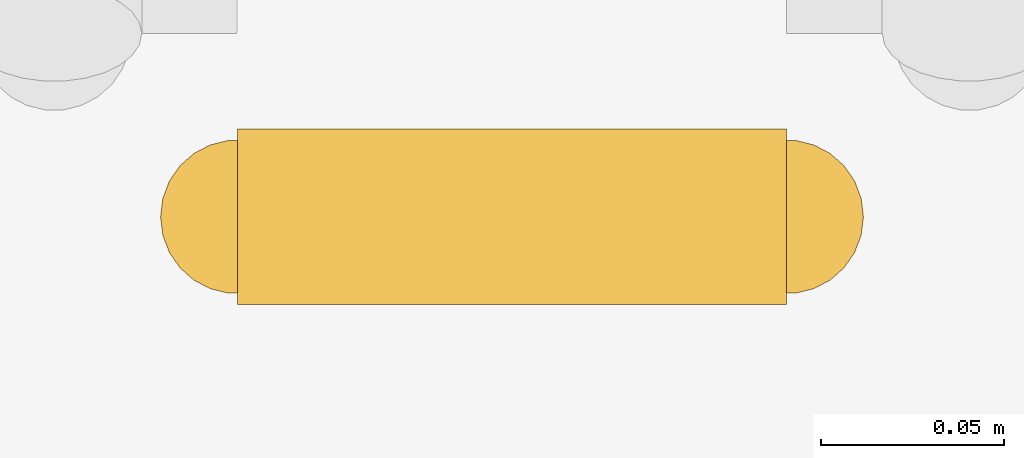
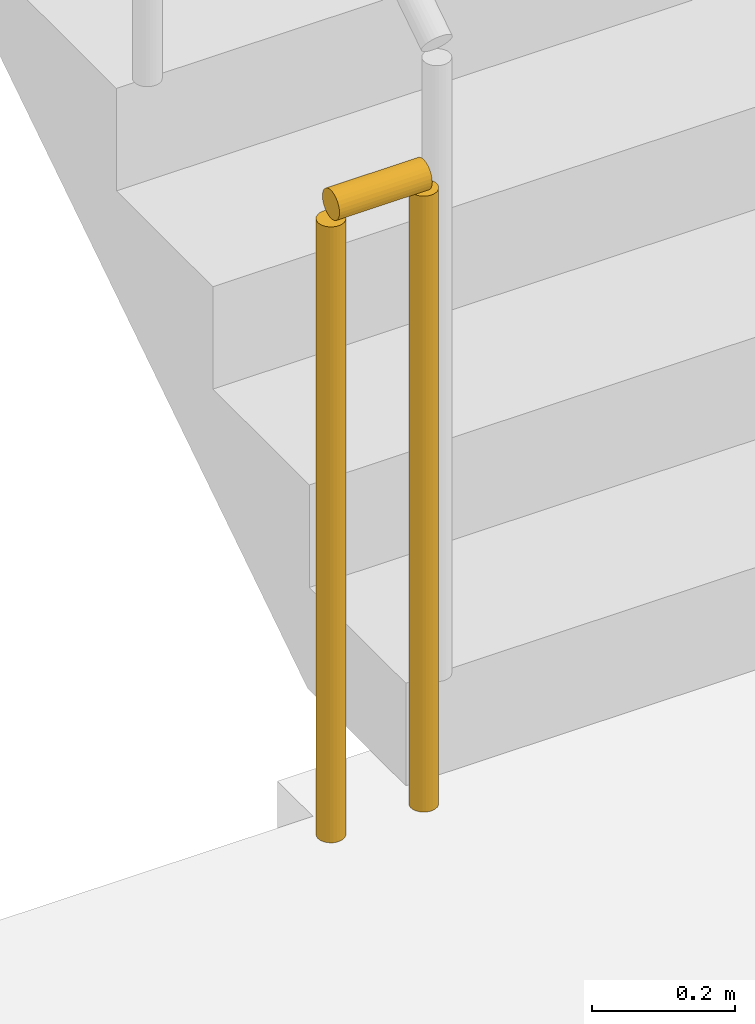
# One storey, part 15 of 20: 1 railing.
"""IFC4 building model written with IfcOpenShell, lengths in metres."""

from ifc_helpers import new_model, si_unit, direction, frame, origin, origin_2d, place, context, subcontext, project, spatial, circle, extrude, material, type_object, element, save


model = new_model("IFC4")

# Units and contexts
model_context = context("Model", 3, precision=1e-05, world=origin(), true_north=direction((0.0, 1.0)))
body_context = subcontext(model_context, "Body", "Model", "MODEL_VIEW")
ifc_project = project(units=[si_unit("LENGTHUNIT", "METRE"), si_unit("AREAUNIT", "SQUARE_METRE"), si_unit("VOLUMEUNIT", "CUBIC_METRE"), si_unit("PLANEANGLEUNIT", "RADIAN"), si_unit("MASSUNIT", "GRAM", prefix="KILO")], contexts=[model_context])

# Site, building, storey
site_placement = place(None, origin())
site = spatial("IfcSite", under=ifc_project, at=site_placement, CompositionType="ELEMENT")
building_placement = place(site_placement, origin())
building = spatial("IfcBuilding", under=site, at=building_placement, Name="Saffron Iwan Residences", CompositionType="ELEMENT")
storey_placement = place(building_placement, frame((0.0, 0.0, 123.5)))
storey = spatial("IfcBuildingStorey", under=building, at=storey_placement, Name="L32", CompositionType="ELEMENT", Elevation=123.5)

# Railing
ifc_material = material(Name="Steel S355", Category="steel")
railing_type = type_object("IfcRailingType", Name="Stair guard 1100", PredefinedType="GUARDRAIL", material=ifc_material)
railing_placement = place(storey_placement, frame((31.25, 67.800048828125, 0.0)))
element("IfcRailing", 1, at=railing_placement, inside=storey, type_object=railing_type, Name="L32 ST-W stair guard 2", PredefinedType="GUARDRAIL", context=body_context, shape_type="SweptSolid", body=[
    extrude(circle(Radius=0.02392578125, at=origin_2d()), frame((0.0, 0.0, 1.076171875), z_axis=(-1.0, 0.0, 0.0), x_axis=(0.0, -1.0, 0.0)), (0.0, 0.0, 1.0), 0.14990234375),
    extrude(circle(Radius=0.02099609375, at=origin_2d()), origin(), (0.0, 0.0, 1.0), 1.052001953125),
    extrude(circle(Radius=0.02099609375, at=origin_2d()), frame((-0.14990234375, 0.0, 0.0)), (0.0, 0.0, 1.0), 1.052001953125),
])

save(model, "model.ifc")
